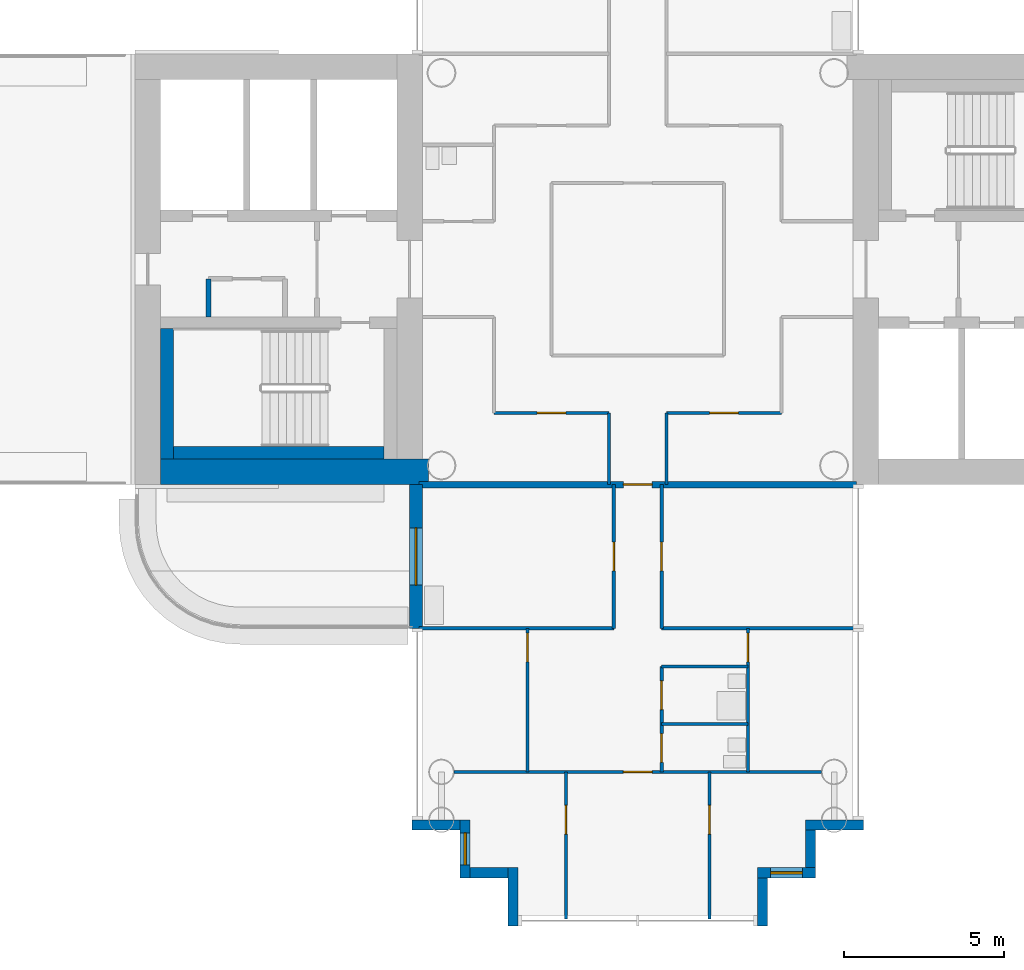
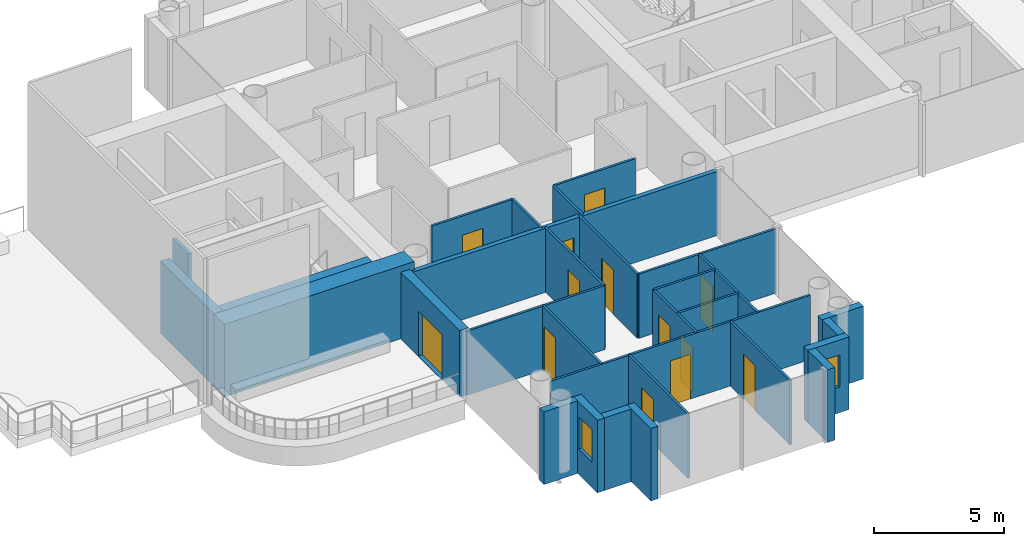
# One storey, part 7 of 19: 30 walls, 13 doors, 2 windows, 15 openings.
"""IFC4 building model written with IfcOpenShell, lengths in metres."""

from ifc_helpers import new_model, si_unit, direction, frame, frame_2d, origin, place, context, subcontext, project, spatial, rectangle, extrude, material, layer, layer_set, type_object, element, fill, save


model = new_model("IFC4")

# Units and contexts
model_context = context("Model", 3, precision=1e-05, world=origin(), true_north=direction((0.0, 1.0)))
body_context = subcontext(model_context, "Body", "Model", "MODEL_VIEW")
ifc_project = project(units=[si_unit("LENGTHUNIT", "METRE"), si_unit("AREAUNIT", "SQUARE_METRE"), si_unit("VOLUMEUNIT", "CUBIC_METRE"), si_unit("PLANEANGLEUNIT", "RADIAN"), si_unit("MASSUNIT", "GRAM", prefix="KILO")], contexts=[model_context])

# Site, building, storey
site_placement = place(None, origin())
site = spatial("IfcSite", under=ifc_project, at=site_placement, CompositionType="ELEMENT")
building_placement = place(site_placement, origin())
building = spatial("IfcBuilding", under=site, at=building_placement, Name="Ipe Terrace Towers", CompositionType="ELEMENT")
storey_placement = place(building_placement, frame((0.0, 0.0, 133.699951171875)))
storey = spatial("IfcBuildingStorey", under=building, at=storey_placement, Name="L36", CompositionType="ELEMENT", Elevation=133.699951171875)

# Wall, opening, door
ifc_material_1 = material(Name="Concrete C40/50 with buff precast cladding", Category="concrete")
ifc_layer_1 = layer(ifc_material_1, 0.39990234375)
ifc_layer_set_1 = layer_set([ifc_layer_1], Name="BALCONY BAY WALL 400")
wall_type_1 = type_object("IfcWallType", Name="BALCONY BAY WALL 400", PredefinedType="STANDARD", material=ifc_layer_set_1)
wall_1_placement = place(storey_placement, frame((-42.949951171875, -6.75, -0.02001953125), z_axis=(0.0, 0.0, 1.0), x_axis=(0.0, -1.0, 0.0)))
wall_1 = element("IfcWall", 1, at=wall_1_placement, inside=storey, type_object=wall_type_1, Name="T1-W-L36-02a wall", PredefinedType="STANDARD", context=body_context, shape_type="SweptSolid", body=[
    extrude(rectangle(XDim=4.5, YDim=0.39990234375, at=frame_2d((2.25, 0.0))), origin(), (0.0, 0.0, 1.0), 3.1201171875),
])
opening_1_placement = place(wall_1_placement, frame((1.35009765625, 0.0, 0.02001953125)))
opening_1 = element("IfcOpeningElement", 2, at=opening_1_placement, cuts=wall_1, Name="Opening T1-D-L36-02", PredefinedType="OPENING", context=body_context, shape_type="SweptSolid", body=[
    extrude(rectangle(XDim=1.800048828125, YDim=2.10009765625, at=frame_2d((0.89990234375, 1.050048828125))), frame((0.0, 0.2099609375, 0.0), z_axis=(0.0, -1.0, 0.0), x_axis=(1.0, 0.0, 0.0)), (0.0, 0.0, 1.0), 0.419921875),
])
ifc_material_2 = material(Name="Aluminium alloy 6063-T6 framed glazed door", Category="aluminium")
door_type_1 = type_object("IfcDoorType", Name="BALCONY DOOR 1800 x 2100 LEFT", OperationType="SINGLE_SWING_LEFT", PredefinedType="DOOR", material=ifc_material_2)
door_1_placement = place(opening_1_placement, origin())
door_1 = element("IfcDoor", 3, at=door_1_placement, inside=storey, type_object=door_type_1, Name="DB1 door", OperationType="SINGLE_SWING_LEFT", OverallHeight=2.10009765625, OverallWidth=1.800048828125, PredefinedType="DOOR", context=body_context, shape_type="SweptSolid", body=[
    extrude(rectangle(XDim=1.800048828125, YDim=2.10009765625, at=frame_2d((0.89990234375, 1.050048828125))), frame((0.0, 0.02490234375, 0.0), z_axis=(0.0, -1.0, 0.0), x_axis=(1.0, 0.0, 0.0)), (0.0, 0.0, 1.0), 0.050048828125),
])
fill(opening_1, door_1)

# Wall
ifc_material_3 = material(Name="Concrete C40/50 with buff precast cladding", Category="concrete")
ifc_layer_2 = layer(ifc_material_3, 0.320068359375)
ifc_layer_set_2 = layer_set([ifc_layer_2], Name="BUFF CLADDING WALL 320")
wall_type_2 = type_object("IfcWallType", Name="BUFF CLADDING WALL 320", PredefinedType="STANDARD", material=ifc_layer_set_2)
wall_2_placement = place(storey_placement, frame((-43.070068359375, -17.409912109375, -0.300048828125), z_axis=(0.0, 0.0, 1.0), x_axis=(1.0, 0.0, 0.0)))
element("IfcWall", 4, at=wall_2_placement, inside=storey, type_object=wall_type_2, Name="T1-W-L36-04a wall", PredefinedType="STANDARD", context=body_context, shape_type="SweptSolid", body=[
    extrude(rectangle(XDim=1.5, YDim=0.320068359375, at=frame_2d((0.75, 0.0))), origin(), (0.0, 0.0, 1.0), 3.400146484375),
])

# Wall, opening, window
wall_3_placement = place(storey_placement, frame((-41.409912109375, -17.25, -0.300048828125), z_axis=(0.0, 0.0, 1.0), x_axis=(0.0, -1.0, 0.0)))
wall_3 = element("IfcWall", 5, at=wall_3_placement, inside=storey, type_object=wall_type_2, Name="T1-W-L36-05a wall", PredefinedType="STANDARD", context=body_context, shape_type="SweptSolid", body=[
    extrude(rectangle(XDim=1.820068359375, YDim=0.320068359375, at=frame_2d((0.91015625, 0.0))), origin(), (0.0, 0.0, 1.0), 3.400146484375),
])
opening_2_placement = place(wall_3_placement, frame((0.409912109375, 0.0, 1.199951171875)))
opening_2 = element("IfcOpeningElement", 6, at=opening_2_placement, cuts=wall_3, Name="Opening T1-W-05-L36-02", PredefinedType="OPENING", context=body_context, shape_type="SweptSolid", body=[
    extrude(rectangle(XDim=1.0, YDim=1.5, at=frame_2d((0.5, 0.75))), frame((0.0, 0.169921875, 0.0), z_axis=(0.0, -1.0, 0.0), x_axis=(1.0, 0.0, 0.0)), (0.0, 0.0, 1.0), 0.340087890625),
])
ifc_material_4 = material(Name="Glass, clear laminated", Category="glass")
window_type = type_object("IfcWindowType", Name="DWELLING WINDOW 1000 x 1500", PartitioningType="SINGLE_PANEL", PredefinedType="WINDOW", material=ifc_material_4)
window_1_placement = place(opening_2_placement, origin())
window_1 = element("IfcWindow", 7, at=window_1_placement, inside=storey, type_object=window_type, Name="W-05 window", OverallHeight=1.5, OverallWidth=1.0, PartitioningType="SINGLE_PANEL", PredefinedType="WINDOW", context=body_context, shape_type="SweptSolid", body=[
    extrude(rectangle(XDim=1.0, YDim=1.5, at=frame_2d((0.5, 0.75))), frame((0.0, 0.030029296875, 0.0), z_axis=(0.0, -1.0, 0.0), x_axis=(1.0, 0.0, 0.0)), (0.0, 0.0, 1.0), 0.06005859375),
])
fill(opening_2, window_1)

# Walls
wall_4_placement = place(storey_placement, frame((-41.25, -18.909912109375, -0.300048828125), z_axis=(0.0, 0.0, 1.0), x_axis=(1.0, 0.0, 0.0)))
element("IfcWall", 8, at=wall_4_placement, inside=storey, type_object=wall_type_2, Name="T1-W-L36-06a wall", PredefinedType="STANDARD", context=body_context, shape_type="SweptSolid", body=[
    extrude(rectangle(XDim=1.179931640625, YDim=0.320068359375, at=frame_2d((0.58984375, 0.0))), origin(), (0.0, 0.0, 1.0), 3.400146484375),
])
wall_5_placement = place(storey_placement, frame((-39.909912109375, -18.75, -0.300048828125), z_axis=(0.0, 0.0, 1.0), x_axis=(0.0, -1.0, 0.0)))
element("IfcWall", 9, at=wall_5_placement, inside=storey, type_object=wall_type_2, Name="T1-W-L36-07a wall", PredefinedType="STANDARD", context=body_context, shape_type="SweptSolid", body=[
    extrude(rectangle(XDim=1.820068359375, YDim=0.320068359375, at=frame_2d((0.91015625, 0.0))), origin(), (0.0, 0.0, 1.0), 3.400146484375),
])
wall_6_placement = place(storey_placement, frame((-32.090087890625, -20.570068359375, -0.300048828125), z_axis=(0.0, 0.0, 1.0), x_axis=(0.0, 1.0, 0.0)))
element("IfcWall", 10, at=wall_6_placement, inside=storey, type_object=wall_type_2, Name="T1-W-L36-09a wall", PredefinedType="STANDARD", context=body_context, shape_type="SweptSolid", body=[
    extrude(rectangle(XDim=1.5, YDim=0.320068359375, at=frame_2d((0.75, 0.0))), origin(), (0.0, 0.0, 1.0), 3.400146484375),
])

# Wall, opening, window
wall_7_placement = place(storey_placement, frame((-32.25, -18.909912109375, -0.300048828125), z_axis=(0.0, 0.0, 1.0), x_axis=(1.0, 0.0, 0.0)))
wall_7 = element("IfcWall", 11, at=wall_7_placement, inside=storey, type_object=wall_type_2, Name="T1-W-L36-10a wall", PredefinedType="STANDARD", context=body_context, shape_type="SweptSolid", body=[
    extrude(rectangle(XDim=1.820068359375, YDim=0.320068359375, at=frame_2d((0.91015625, 0.0))), origin(), (0.0, 0.0, 1.0), 3.400146484375),
])
opening_3_placement = place(wall_7_placement, frame((0.409912109375, 0.0, 1.199951171875)))
opening_3 = element("IfcOpeningElement", 12, at=opening_3_placement, cuts=wall_7, Name="Opening T1-W-05-L36-01", PredefinedType="OPENING", context=body_context, shape_type="SweptSolid", body=[
    extrude(rectangle(XDim=1.0, YDim=1.5, at=frame_2d((0.5, 0.75))), frame((0.0, 0.169921875, 0.0), z_axis=(0.0, -1.0, 0.0), x_axis=(1.0, 0.0, 0.0)), (0.0, 0.0, 1.0), 0.340087890625),
])
window_2_placement = place(opening_3_placement, origin())
window_2 = element("IfcWindow", 13, at=window_2_placement, inside=storey, type_object=window_type, Name="W-05 window", OverallHeight=1.5, OverallWidth=1.0, PartitioningType="SINGLE_PANEL", PredefinedType="WINDOW", context=body_context, shape_type="SweptSolid", body=[
    extrude(rectangle(XDim=1.0, YDim=1.5, at=frame_2d((0.5, 0.75))), frame((0.0, 0.030029296875, 0.0), z_axis=(0.0, -1.0, 0.0), x_axis=(1.0, 0.0, 0.0)), (0.0, 0.0, 1.0), 0.06005859375),
])
fill(opening_3, window_2)

# Walls
wall_8_placement = place(storey_placement, frame((-30.590087890625, -18.75, -0.300048828125), z_axis=(0.0, 0.0, 1.0), x_axis=(0.0, 1.0, 0.0)))
element("IfcWall", 14, at=wall_8_placement, inside=storey, type_object=wall_type_2, Name="T1-W-L36-11a wall", PredefinedType="STANDARD", context=body_context, shape_type="SweptSolid", body=[
    extrude(rectangle(XDim=1.179931640625, YDim=0.320068359375, at=frame_2d((0.58984375, 0.0))), origin(), (0.0, 0.0, 1.0), 3.400146484375),
])
wall_9_placement = place(storey_placement, frame((-30.75, -17.409912109375, -0.300048828125), z_axis=(0.0, 0.0, 1.0), x_axis=(1.0, 0.0, 0.0)))
element("IfcWall", 15, at=wall_9_placement, inside=storey, type_object=wall_type_2, Name="T1-W-L36-12a wall", PredefinedType="STANDARD", context=body_context, shape_type="SweptSolid", body=[
    extrude(rectangle(XDim=1.820068359375, YDim=0.320068359375, at=frame_2d((0.91015625, 0.0))), origin(), (0.0, 0.0, 1.0), 3.400146484375),
])

# Wall, opening, door
ifc_material_5 = material(Name="Gypsum board partition", Category="plasterboard")
ifc_layer_3 = layer(ifc_material_5, 0.10009765625)
ifc_layer_set_3 = layer_set([ifc_layer_3], Name="Gypsum board partition 100 mm")
wall_type_3 = type_object("IfcWallType", Name="Gypsum board partition 100 mm", PredefinedType="PARTITIONING", material=ifc_layer_set_3)
wall_10_placement = place(storey_placement, frame((-39.449951171875, -15.75, 0.0), z_axis=(0.0, 0.0, 1.0), x_axis=(0.0, 1.0, 0.0)))
wall_10 = element("IfcWall", 16, at=wall_10_placement, inside=storey, type_object=wall_type_3, Name="Gypsum board partition T1 L36 W03", PredefinedType="PARTITIONING", context=body_context, shape_type="SweptSolid", body=[
    extrude(rectangle(XDim=4.5, YDim=0.10009765625, at=frame_2d((2.25, 0.0))), origin(), (0.0, 0.0, 1.0), 3.0),
])
opening_4_placement = place(wall_10_placement, frame((3.449951171875, 0.0, 0.0)))
opening_4 = element("IfcOpeningElement", 17, at=opening_4_placement, cuts=wall_10, Name="Opening T1-Z3A-16", PredefinedType="OPENING", context=body_context, shape_type="SweptSolid", body=[
    extrude(rectangle(XDim=0.89990234375, YDim=2.10009765625, at=frame_2d((0.449951171875, 1.050048828125))), frame((0.0, 0.06005859375, 0.0), z_axis=(0.0, -1.0, 0.0), x_axis=(1.0, 0.0, 0.0)), (0.0, 0.0, 1.0), 0.1201171875),
])
ifc_material_6 = material(Name="Timber door leaf", Category="wood")
door_type_2 = type_object("IfcDoorType", Name="Bedroom door 900 x 2100", OperationType="NOTDEFINED", PredefinedType="DOOR", material=ifc_material_6)
door_2_placement = place(opening_4_placement, origin())
door_2 = element("IfcDoor", 18, at=door_2_placement, inside=storey, type_object=door_type_2, Name="Bedroom door T1-Z3A-16", OperationType="SINGLE_SWING_LEFT", OverallHeight=2.10009765625, OverallWidth=0.89990234375, PredefinedType="DOOR", context=body_context, shape_type="SweptSolid", body=[
    extrude(rectangle(XDim=0.89990234375, YDim=2.10009765625, at=frame_2d((0.449951171875, 1.050048828125))), frame((0.0, 0.02490234375, 0.0), z_axis=(0.0, -1.0, 0.0), x_axis=(1.0, 0.0, 0.0)), (0.0, 0.0, 1.0), 0.050048828125),
])
fill(opening_4, door_2)

wall_11_placement = place(storey_placement, frame((-38.25, -20.35009765625, 0.0), z_axis=(0.0, 0.0, 1.0), x_axis=(0.0, 1.0, 0.0)))
wall_11 = element("IfcWall", 19, at=wall_11_placement, inside=storey, type_object=wall_type_3, Name="Gypsum board partition T1 L36 W05", PredefinedType="PARTITIONING", context=body_context, shape_type="SweptSolid", body=[
    extrude(rectangle(XDim=4.60009765625, YDim=0.10009765625, at=frame_2d((2.300048828125, 0.0))), origin(), (0.0, 0.0, 1.0), 3.0),
])
opening_5_placement = place(wall_11_placement, frame((2.64990234375, 0.0, 0.0)))
opening_5 = element("IfcOpeningElement", 20, at=opening_5_placement, cuts=wall_11, Name="Opening T1-Z3A-19", PredefinedType="OPENING", context=body_context, shape_type="SweptSolid", body=[
    extrude(rectangle(XDim=0.89990234375, YDim=2.10009765625, at=frame_2d((0.449951171875, 1.050048828125))), frame((0.0, 0.06005859375, 0.0), z_axis=(0.0, -1.0, 0.0), x_axis=(1.0, 0.0, 0.0)), (0.0, 0.0, 1.0), 0.1201171875),
])
door_3_placement = place(opening_5_placement, origin())
door_3 = element("IfcDoor", 21, at=door_3_placement, inside=storey, type_object=door_type_2, Name="Bedroom door T1-Z3A-19", OperationType="SINGLE_SWING_LEFT", OverallHeight=2.10009765625, OverallWidth=0.89990234375, PredefinedType="DOOR", context=body_context, shape_type="SweptSolid", body=[
    extrude(rectangle(XDim=0.89990234375, YDim=2.10009765625, at=frame_2d((0.449951171875, 1.050048828125))), frame((0.0, 0.02490234375, 0.0), z_axis=(0.0, -1.0, 0.0), x_axis=(1.0, 0.0, 0.0)), (0.0, 0.0, 1.0), 0.050048828125),
])
fill(opening_5, door_3)

# Wall
wall_12_placement = place(storey_placement, frame((-36.89990234375, -6.75, 0.0), z_axis=(0.0, 0.0, 1.0), x_axis=(0.0, 1.0, 0.0)))
element("IfcWall", 22, at=wall_12_placement, inside=storey, type_object=wall_type_3, Name="Gypsum board partition T1 L36 W06", PredefinedType="PARTITIONING", context=body_context, shape_type="SweptSolid", body=[
    extrude(rectangle(XDim=2.25, YDim=0.10009765625, at=frame_2d((1.125, 0.0))), origin(), (0.0, 0.0, 1.0), 3.0),
])

# Wall, opening, door
wall_13_placement = place(storey_placement, frame((-36.75, -11.25, 0.0), z_axis=(0.0, 0.0, 1.0), x_axis=(0.0, 1.0, 0.0)))
wall_13 = element("IfcWall", 23, at=wall_13_placement, inside=storey, type_object=wall_type_3, Name="Gypsum board partition T1 L36 W08", PredefinedType="PARTITIONING", context=body_context, shape_type="SweptSolid", body=[
    extrude(rectangle(XDim=4.5, YDim=0.10009765625, at=frame_2d((2.25, 0.0))), origin(), (0.0, 0.0, 1.0), 3.0),
])
opening_6_placement = place(wall_13_placement, frame((1.800048828125, 0.0, 0.0)))
opening_6 = element("IfcOpeningElement", 24, at=opening_6_placement, cuts=wall_13, Name="Opening T1-Z3A-11", PredefinedType="OPENING", context=body_context, shape_type="SweptSolid", body=[
    extrude(rectangle(XDim=0.89990234375, YDim=2.10009765625, at=frame_2d((0.449951171875, 1.050048828125))), frame((0.0, 0.06005859375, 0.0), z_axis=(0.0, -1.0, 0.0), x_axis=(1.0, 0.0, 0.0)), (0.0, 0.0, 1.0), 0.1201171875),
])
ifc_material_7 = material(Name="Timber door leaf", Category="wood")
door_type_3 = type_object("IfcDoorType", Name="Lounge door 900 x 2100", OperationType="NOTDEFINED", PredefinedType="DOOR", material=ifc_material_7)
door_4_placement = place(opening_6_placement, origin())
door_4 = element("IfcDoor", 25, at=door_4_placement, inside=storey, type_object=door_type_3, Name="Lounge door T1-Z3A-11", OperationType="SINGLE_SWING_LEFT", OverallHeight=2.10009765625, OverallWidth=0.89990234375, PredefinedType="DOOR", context=body_context, shape_type="SweptSolid", body=[
    extrude(rectangle(XDim=0.89990234375, YDim=2.10009765625, at=frame_2d((0.449951171875, 1.050048828125))), frame((0.0, 0.02490234375, 0.0), z_axis=(0.0, -1.0, 0.0), x_axis=(1.0, 0.0, 0.0)), (0.0, 0.0, 1.0), 0.050048828125),
])
fill(opening_6, door_4)

# Wall, openings, doors
wall_14_placement = place(storey_placement, frame((-35.25, -15.75, 0.0), z_axis=(0.0, 0.0, 1.0), x_axis=(0.0, 1.0, 0.0)))
wall_14 = element("IfcWall", 26, at=wall_14_placement, inside=storey, type_object=wall_type_3, Name="Gypsum board partition T1 L36 W09", PredefinedType="PARTITIONING", context=body_context, shape_type="SweptSolid", body=[
    extrude(rectangle(XDim=3.300048828125, YDim=0.10009765625, at=frame_2d((1.64990234375, 0.0))), origin(), (0.0, 0.0, 1.0), 3.0),
])
opening_7_placement = place(wall_14_placement, frame((1.949951171875, 0.0, 0.0)))
opening_7 = element("IfcOpeningElement", 27, at=opening_7_placement, cuts=wall_14, Name="Opening T1-Z3A-13", PredefinedType="OPENING", context=body_context, shape_type="SweptSolid", body=[
    extrude(rectangle(XDim=0.89990234375, YDim=2.10009765625, at=frame_2d((0.449951171875, 1.050048828125))), frame((0.0, 0.06005859375, 0.0), z_axis=(0.0, -1.0, 0.0), x_axis=(1.0, 0.0, 0.0)), (0.0, 0.0, 1.0), 0.1201171875),
])
opening_8_placement = place(wall_14_placement, frame((0.300048828125, 0.0, 0.0)))
opening_8 = element("IfcOpeningElement", 28, at=opening_8_placement, cuts=wall_14, Name="Opening T1-Z3A-14", PredefinedType="OPENING", context=body_context, shape_type="SweptSolid", body=[
    extrude(rectangle(XDim=0.89990234375, YDim=2.10009765625, at=frame_2d((0.449951171875, 1.050048828125))), frame((0.0, 0.06005859375, 0.0), z_axis=(0.0, -1.0, 0.0), x_axis=(1.0, 0.0, 0.0)), (0.0, 0.0, 1.0), 0.1201171875),
])
ifc_material_8 = material(Name="Timber door leaf", Category="wood")
door_type_4 = type_object("IfcDoorType", Name="Bathroom door 900 x 2100", OperationType="NOTDEFINED", PredefinedType="DOOR", material=ifc_material_8)
door_5_placement = place(opening_7_placement, origin())
door_5 = element("IfcDoor", 29, at=door_5_placement, inside=storey, type_object=door_type_4, Name="Bathroom door T1-Z3A-13", OperationType="SINGLE_SWING_RIGHT", OverallHeight=2.10009765625, OverallWidth=0.89990234375, PredefinedType="DOOR", context=body_context, shape_type="SweptSolid", body=[
    extrude(rectangle(XDim=0.89990234375, YDim=2.10009765625, at=frame_2d((0.449951171875, 1.050048828125))), frame((0.0, 0.02490234375, 0.0), z_axis=(0.0, -1.0, 0.0), x_axis=(1.0, 0.0, 0.0)), (0.0, 0.0, 1.0), 0.050048828125),
])
fill(opening_7, door_5)
door_6_placement = place(opening_8_placement, origin())
door_6 = element("IfcDoor", 30, at=door_6_placement, inside=storey, type_object=door_type_4, Name="Bathroom door T1-Z3A-14", OperationType="SINGLE_SWING_LEFT", OverallHeight=2.10009765625, OverallWidth=0.89990234375, PredefinedType="DOOR", context=body_context, shape_type="SweptSolid", body=[
    extrude(rectangle(XDim=0.89990234375, YDim=2.10009765625, at=frame_2d((0.449951171875, 1.050048828125))), frame((0.0, 0.02490234375, 0.0), z_axis=(0.0, -1.0, 0.0), x_axis=(1.0, 0.0, 0.0)), (0.0, 0.0, 1.0), 0.050048828125),
])
fill(opening_8, door_6)

# Wall, opening, door
wall_15_placement = place(storey_placement, frame((-35.25, -11.25, 0.0), z_axis=(0.0, 0.0, 1.0), x_axis=(0.0, 1.0, 0.0)))
wall_15 = element("IfcWall", 31, at=wall_15_placement, inside=storey, type_object=wall_type_3, Name="Gypsum board partition T1 L36 W10", PredefinedType="PARTITIONING", context=body_context, shape_type="SweptSolid", body=[
    extrude(rectangle(XDim=4.5, YDim=0.10009765625, at=frame_2d((2.25, 0.0))), origin(), (0.0, 0.0, 1.0), 3.0),
])
opening_9_placement = place(wall_15_placement, frame((1.800048828125, 0.0, 0.0)))
opening_9 = element("IfcOpeningElement", 32, at=opening_9_placement, cuts=wall_15, Name="Opening T1-Z3A-10", PredefinedType="OPENING", context=body_context, shape_type="SweptSolid", body=[
    extrude(rectangle(XDim=0.89990234375, YDim=2.10009765625, at=frame_2d((0.449951171875, 1.050048828125))), frame((0.0, 0.06005859375, 0.0), z_axis=(0.0, -1.0, 0.0), x_axis=(1.0, 0.0, 0.0)), (0.0, 0.0, 1.0), 0.1201171875),
])
door_7_placement = place(opening_9_placement, origin())
door_7 = element("IfcDoor", 33, at=door_7_placement, inside=storey, type_object=door_type_3, Name="Lounge door T1-Z3A-10", OperationType="SINGLE_SWING_RIGHT", OverallHeight=2.10009765625, OverallWidth=0.89990234375, PredefinedType="DOOR", context=body_context, shape_type="SweptSolid", body=[
    extrude(rectangle(XDim=0.89990234375, YDim=2.10009765625, at=frame_2d((0.449951171875, 1.050048828125))), frame((0.0, 0.02490234375, 0.0), z_axis=(0.0, -1.0, 0.0), x_axis=(1.0, 0.0, 0.0)), (0.0, 0.0, 1.0), 0.050048828125),
])
fill(opening_9, door_7)

# Wall
wall_16_placement = place(storey_placement, frame((-35.10009765625, -6.75, 0.0), z_axis=(0.0, 0.0, 1.0), x_axis=(0.0, 1.0, 0.0)))
element("IfcWall", 34, at=wall_16_placement, inside=storey, type_object=wall_type_3, Name="Gypsum board partition T1 L36 W11", PredefinedType="PARTITIONING", context=body_context, shape_type="SweptSolid", body=[
    extrude(rectangle(XDim=2.25, YDim=0.10009765625, at=frame_2d((1.125, 0.0))), origin(), (0.0, 0.0, 1.0), 3.0),
])

# Wall, opening, door
wall_17_placement = place(storey_placement, frame((-33.75, -20.35009765625, 0.0), z_axis=(0.0, 0.0, 1.0), x_axis=(0.0, 1.0, 0.0)))
wall_17 = element("IfcWall", 35, at=wall_17_placement, inside=storey, type_object=wall_type_3, Name="Gypsum board partition T1 L36 W13", PredefinedType="PARTITIONING", context=body_context, shape_type="SweptSolid", body=[
    extrude(rectangle(XDim=4.60009765625, YDim=0.10009765625, at=frame_2d((2.300048828125, 0.0))), origin(), (0.0, 0.0, 1.0), 3.0),
])
opening_10_placement = place(wall_17_placement, frame((2.64990234375, 0.0, 0.0)))
opening_10 = element("IfcOpeningElement", 36, at=opening_10_placement, cuts=wall_17, Name="Opening T1-Z3A-18", PredefinedType="OPENING", context=body_context, shape_type="SweptSolid", body=[
    extrude(rectangle(XDim=0.89990234375, YDim=2.10009765625, at=frame_2d((0.449951171875, 1.050048828125))), frame((0.0, 0.06005859375, 0.0), z_axis=(0.0, -1.0, 0.0), x_axis=(1.0, 0.0, 0.0)), (0.0, 0.0, 1.0), 0.1201171875),
])
door_8_placement = place(opening_10_placement, origin())
door_8 = element("IfcDoor", 37, at=door_8_placement, inside=storey, type_object=door_type_2, Name="Bedroom door T1-Z3A-18", OperationType="SINGLE_SWING_RIGHT", OverallHeight=2.10009765625, OverallWidth=0.89990234375, PredefinedType="DOOR", context=body_context, shape_type="SweptSolid", body=[
    extrude(rectangle(XDim=0.89990234375, YDim=2.10009765625, at=frame_2d((0.449951171875, 1.050048828125))), frame((0.0, 0.02490234375, 0.0), z_axis=(0.0, -1.0, 0.0), x_axis=(1.0, 0.0, 0.0)), (0.0, 0.0, 1.0), 0.050048828125),
])
fill(opening_10, door_8)

wall_18_placement = place(storey_placement, frame((-32.550048828125, -15.75, 0.0), z_axis=(0.0, 0.0, 1.0), x_axis=(0.0, 1.0, 0.0)))
wall_18 = element("IfcWall", 38, at=wall_18_placement, inside=storey, type_object=wall_type_3, Name="Gypsum board partition T1 L36 W15", PredefinedType="PARTITIONING", context=body_context, shape_type="SweptSolid", body=[
    extrude(rectangle(XDim=4.5, YDim=0.10009765625, at=frame_2d((2.25, 0.0))), origin(), (0.0, 0.0, 1.0), 3.0),
])
opening_11_placement = place(wall_18_placement, frame((3.449951171875, 0.0, 0.0)))
opening_11 = element("IfcOpeningElement", 39, at=opening_11_placement, cuts=wall_18, Name="Opening T1-Z3A-15", PredefinedType="OPENING", context=body_context, shape_type="SweptSolid", body=[
    extrude(rectangle(XDim=0.89990234375, YDim=2.10009765625, at=frame_2d((0.449951171875, 1.050048828125))), frame((0.0, 0.06005859375, 0.0), z_axis=(0.0, -1.0, 0.0), x_axis=(1.0, 0.0, 0.0)), (0.0, 0.0, 1.0), 0.1201171875),
])
door_9_placement = place(opening_11_placement, origin())
door_9 = element("IfcDoor", 40, at=door_9_placement, inside=storey, type_object=door_type_2, Name="Bedroom door T1-Z3A-15", OperationType="SINGLE_SWING_RIGHT", OverallHeight=2.10009765625, OverallWidth=0.89990234375, PredefinedType="DOOR", context=body_context, shape_type="SweptSolid", body=[
    extrude(rectangle(XDim=0.89990234375, YDim=2.10009765625, at=frame_2d((0.449951171875, 1.050048828125))), frame((0.0, 0.02490234375, 0.0), z_axis=(0.0, -1.0, 0.0), x_axis=(1.0, 0.0, 0.0)), (0.0, 0.0, 1.0), 0.050048828125),
])
fill(opening_11, door_9)

wall_19_placement = place(storey_placement, frame((-41.75, -15.75, 0.0), z_axis=(0.0, 0.0, 1.0), x_axis=(1.0, 0.0, 0.0)))
wall_19 = element("IfcWall", 41, at=wall_19_placement, inside=storey, type_object=wall_type_3, Name="Gypsum board partition T1 L36 W21", PredefinedType="PARTITIONING", context=body_context, shape_type="SweptSolid", body=[
    extrude(rectangle(XDim=11.5, YDim=0.10009765625, at=frame_2d((5.75, 0.0))), origin(), (0.0, 0.0, 1.0), 3.0),
])
opening_12_placement = place(wall_19_placement, frame((5.300048828125, 0.0, 0.0)))
opening_12 = element("IfcOpeningElement", 42, at=opening_12_placement, cuts=wall_19, Name="Opening T1-Z3A-17", PredefinedType="OPENING", context=body_context, shape_type="SweptSolid", body=[
    extrude(rectangle(XDim=0.89990234375, YDim=2.10009765625, at=frame_2d((0.449951171875, 1.050048828125))), frame((0.0, 0.06005859375, 0.0), z_axis=(0.0, -1.0, 0.0), x_axis=(1.0, 0.0, 0.0)), (0.0, 0.0, 1.0), 0.1201171875),
])
door_10_placement = place(opening_12_placement, origin())
door_10 = element("IfcDoor", 43, at=door_10_placement, inside=storey, type_object=door_type_3, Name="Lounge door T1-Z3A-17", OperationType="SINGLE_SWING_RIGHT", OverallHeight=2.10009765625, OverallWidth=0.89990234375, PredefinedType="DOOR", context=body_context, shape_type="SweptSolid", body=[
    extrude(rectangle(XDim=0.89990234375, YDim=2.10009765625, at=frame_2d((0.449951171875, 1.050048828125))), frame((0.0, 0.02490234375, 0.0), z_axis=(0.0, -1.0, 0.0), x_axis=(1.0, 0.0, 0.0)), (0.0, 0.0, 1.0), 0.050048828125),
])
fill(opening_12, door_10)

# Walls
for number, where, z_axis, x_axis, name in (
    (44, (-35.25, -14.25, 0.0), (0.0, 0.0, 1.0), (1.0, 0.0, 0.0), "Gypsum board partition T1 L36 W22"),
    (45, (-35.25, -12.449951171875, 0.0), (0.0, 0.0, 1.0), (1.0, 0.0, 0.0), "Gypsum board partition T1 L36 W23"),
):
    element("IfcWall", number, at=place(storey_placement, frame(where, z_axis=z_axis, x_axis=x_axis)), inside=storey, type_object=wall_type_3, Name=name, PredefinedType="PARTITIONING", context=body_context, shape_type="SweptSolid", body=[
        extrude(rectangle(XDim=2.699951171875, YDim=0.10009765625, at=frame_2d((1.35009765625, 0.0))), origin(), (0.0, 0.0, 1.0), 3.0),
    ])
for number, where, z_axis, x_axis, name in (
    (46, (-42.85009765625, -11.25, 0.0), (0.0, 0.0, 1.0), (1.0, 0.0, 0.0), "Gypsum board partition T1 L36 W24"),
    (47, (-35.25, -11.25, 0.0), (0.0, 0.0, 1.0), (1.0, 0.0, 0.0), "Gypsum board partition T1 L36 W25"),
):
    element("IfcWall", number, at=place(storey_placement, frame(where, z_axis=z_axis, x_axis=x_axis)), inside=storey, type_object=wall_type_3, Name=name, PredefinedType="PARTITIONING", context=body_context, shape_type="SweptSolid", body=[
        extrude(rectangle(XDim=6.10009765625, YDim=0.10009765625, at=frame_2d((3.050048828125, 0.0))), origin(), (0.0, 0.0, 1.0), 3.0),
    ])

# Wall, opening, door
wall_20_placement = place(storey_placement, frame((-40.5, -4.5, 0.0), z_axis=(0.0, 0.0, 1.0), x_axis=(1.0, 0.0, 0.0)))
wall_20 = element("IfcWall", 48, at=wall_20_placement, inside=storey, type_object=wall_type_3, Name="Gypsum board partition T1 L36 W27", PredefinedType="PARTITIONING", context=body_context, shape_type="SweptSolid", body=[
    extrude(rectangle(XDim=3.60009765625, YDim=0.10009765625, at=frame_2d((1.800048828125, 0.0))), origin(), (0.0, 0.0, 1.0), 3.0),
])
opening_13_placement = place(wall_20_placement, frame((1.35009765625, 0.0, 0.0)))
opening_13 = element("IfcOpeningElement", 49, at=opening_13_placement, cuts=wall_20, Name="Opening T1-Z3A-05", PredefinedType="OPENING", context=body_context, shape_type="SweptSolid", body=[
    extrude(rectangle(XDim=0.89990234375, YDim=2.10009765625, at=frame_2d((0.449951171875, 1.050048828125))), frame((0.0, 0.06005859375, 0.0), z_axis=(0.0, -1.0, 0.0), x_axis=(1.0, 0.0, 0.0)), (0.0, 0.0, 1.0), 0.1201171875),
])
door_11_placement = place(opening_13_placement, origin())
door_11 = element("IfcDoor", 50, at=door_11_placement, inside=storey, type_object=door_type_3, Name="Lounge door T1-Z3A-05", OperationType="SINGLE_SWING_RIGHT", OverallHeight=2.10009765625, OverallWidth=0.89990234375, PredefinedType="DOOR", context=body_context, shape_type="SweptSolid", body=[
    extrude(rectangle(XDim=0.89990234375, YDim=2.10009765625, at=frame_2d((0.449951171875, 1.050048828125))), frame((0.0, 0.02490234375, 0.0), z_axis=(0.0, -1.0, 0.0), x_axis=(1.0, 0.0, 0.0)), (0.0, 0.0, 1.0), 0.050048828125),
])
fill(opening_13, door_11)

wall_21_placement = place(storey_placement, frame((-35.10009765625, -4.5, 0.0), z_axis=(0.0, 0.0, 1.0), x_axis=(1.0, 0.0, 0.0)))
wall_21 = element("IfcWall", 51, at=wall_21_placement, inside=storey, type_object=wall_type_3, Name="Gypsum board partition T1 L36 W28", PredefinedType="PARTITIONING", context=body_context, shape_type="SweptSolid", body=[
    extrude(rectangle(XDim=3.60009765625, YDim=0.10009765625, at=frame_2d((1.800048828125, 0.0))), origin(), (0.0, 0.0, 1.0), 3.0),
])
opening_14_placement = place(wall_21_placement, frame((1.35009765625, 0.0, 0.0)))
opening_14 = element("IfcOpeningElement", 52, at=opening_14_placement, cuts=wall_21, Name="Opening T1-Z3A-06", PredefinedType="OPENING", context=body_context, shape_type="SweptSolid", body=[
    extrude(rectangle(XDim=0.89990234375, YDim=2.10009765625, at=frame_2d((0.449951171875, 1.050048828125))), frame((0.0, 0.06005859375, 0.0), z_axis=(0.0, -1.0, 0.0), x_axis=(1.0, 0.0, 0.0)), (0.0, 0.0, 1.0), 0.1201171875),
])
door_12_placement = place(opening_14_placement, origin())
door_12 = element("IfcDoor", 53, at=door_12_placement, inside=storey, type_object=door_type_3, Name="Lounge door T1-Z3A-06", OperationType="SINGLE_SWING_LEFT", OverallHeight=2.10009765625, OverallWidth=0.89990234375, PredefinedType="DOOR", context=body_context, shape_type="SweptSolid", body=[
    extrude(rectangle(XDim=0.89990234375, YDim=2.10009765625, at=frame_2d((0.449951171875, 1.050048828125))), frame((0.0, 0.02490234375, 0.0), z_axis=(0.0, -1.0, 0.0), x_axis=(1.0, 0.0, 0.0)), (0.0, 0.0, 1.0), 0.050048828125),
])
fill(opening_14, door_12)

# Wall
ifc_material_9 = material(Name="Gypsum board partition", Category="plasterboard")
ifc_layer_4 = layer(ifc_material_9, 0.14990234375)
ifc_layer_set_4 = layer_set([ifc_layer_4], Name="Gypsum board partition 150 mm")
wall_type_4 = type_object("IfcWallType", Name="Gypsum board partition 150 mm", PredefinedType="PARTITIONING", material=ifc_layer_set_4)
wall_22_placement = place(storey_placement, frame((-49.449951171875, -0.300048828125, 0.0), z_axis=(0.0, 0.0, 1.0), x_axis=(0.0, -1.0, 0.0)))
element("IfcWall", 54, at=wall_22_placement, inside=storey, type_object=wall_type_4, Name="Gypsum board partition T1 L36 t1c2-cup-n-b", PredefinedType="PARTITIONING", context=body_context, shape_type="SweptSolid", body=[
    extrude(rectangle(XDim=1.199951171875, YDim=0.14990234375, at=frame_2d((0.60009765625, 0.0))), origin(), (0.0, 0.0, 1.0), 3.0),
])

# Wall, opening, door
ifc_material_10 = material(Name="Gypsum board party wall", Category="plasterboard")
ifc_layer_5 = layer(ifc_material_10, 0.199951171875)
ifc_layer_set_5 = layer_set([ifc_layer_5], Name="Gypsum board party wall 200 mm")
wall_type_5 = type_object("IfcWallType", Name="Gypsum board party wall 200 mm", PredefinedType="SOLIDWALL", material=ifc_layer_set_5)
wall_23_placement = place(storey_placement, frame((-42.85009765625, -6.75, 0.0), z_axis=(0.0, 0.0, 1.0), x_axis=(1.0, 0.0, 0.0)))
wall_23 = element("IfcWall", 55, at=wall_23_placement, inside=storey, type_object=wall_type_5, Name="Gypsum board party wall T1 L36 W26", PredefinedType="SOLIDWALL", context=body_context, shape_type="SweptSolid", body=[
    extrude(rectangle(XDim=13.7001953125, YDim=0.199951171875, at=frame_2d((6.85009765625, 0.0))), origin(), (0.0, 0.0, 1.0), 3.0),
])
opening_15_placement = place(wall_23_placement, frame((6.39990234375, 0.0, 0.0)))
opening_15 = element("IfcOpeningElement", 56, at=opening_15_placement, cuts=wall_23, Name="Opening T1-Z3A-12", PredefinedType="OPENING", context=body_context, shape_type="SweptSolid", body=[
    extrude(rectangle(XDim=0.89990234375, YDim=2.10009765625, at=frame_2d((0.449951171875, 1.050048828125))), frame((0.0, 0.10986328125, 0.0), z_axis=(0.0, -1.0, 0.0), x_axis=(1.0, 0.0, 0.0)), (0.0, 0.0, 1.0), 0.219970703125),
])
ifc_material_11 = material(Name="Fire-rated timber door leaf", Category="wood")
door_type_5 = type_object("IfcDoorType", Name="Flat entrance door 900 x 2100 FD30S", OperationType="NOTDEFINED", PredefinedType="DOOR", material=ifc_material_11)
door_13_placement = place(opening_15_placement, origin())
door_13 = element("IfcDoor", 57, at=door_13_placement, inside=storey, type_object=door_type_5, Name="Flat entrance door T1-Z3A-12", OperationType="SINGLE_SWING_RIGHT", OverallHeight=2.10009765625, OverallWidth=0.89990234375, PredefinedType="DOOR", context=body_context, shape_type="SweptSolid", body=[
    extrude(rectangle(XDim=0.89990234375, YDim=2.10009765625, at=frame_2d((0.449951171875, 1.050048828125))), frame((0.0, 0.02490234375, 0.0), z_axis=(0.0, -1.0, 0.0), x_axis=(1.0, 0.0, 0.0)), (0.0, 0.0, 1.0), 0.050048828125),
])
fill(opening_15, door_13)

# Walls
ifc_material_12 = material(Name="Concrete C50/60", Category="concrete")
ifc_layer_6 = layer(ifc_material_12, 0.39990234375)
ifc_layer_set_6 = layer_set([ifc_layer_6], Name="RW400 CORE INFILL WALL 400 C50-60")
wall_type_6 = type_object("IfcWallType", Name="RW400 CORE INFILL WALL 400 C50-60", PredefinedType="SHEAR", material=ifc_layer_set_6)
wall_24_placement = place(storey_placement, frame((-50.75, -1.85009765625, 0.0), z_axis=(0.0, 0.0, 1.0), x_axis=(0.0, -1.0, 0.0)))
element("IfcWall", 58, at=wall_24_placement, inside=storey, type_object=wall_type_6, Name="Core infill wall T1-C2-far", PredefinedType="SHEAR", context=body_context, shape_type="SweptSolid", body=[
    extrude(rectangle(XDim=4.099853515625, YDim=0.39990234375, at=frame_2d((2.0498046875, 0.0))), origin(), (0.0, 0.0, 1.0), 3.400146484375),
])
wall_25_placement = place(storey_placement, frame((-43.949951171875, -5.75, 0.0), z_axis=(0.0, 0.0, 1.0), x_axis=(-1.0, 0.0, 0.0)))
element("IfcWall", 59, at=wall_25_placement, inside=storey, type_object=wall_type_6, Name="Core infill wall T1-C2-back", PredefinedType="SHEAR", context=body_context, shape_type="SweptSolid", body=[
    extrude(rectangle(XDim=6.60009765625, YDim=0.39990234375, at=frame_2d((3.300048828125, 0.0))), origin(), (0.0, 0.0, 1.0), 3.400146484375),
])
ifc_material_13 = material(Name="Concrete C50/60", Category="concrete")
ifc_layer_7 = layer(ifc_material_13, 0.800048828125)
ifc_layer_set_7 = layer_set([ifc_layer_7], Name="RW800 CORE WALL 800 C50-60")
wall_type_7 = type_object("IfcWallType", Name="RW800 CORE WALL 800 C50-60", PredefinedType="SHEAR", material=ifc_layer_set_7)
wall_26_placement = place(storey_placement, frame((-50.949951171875, -6.35009765625, 0.0), z_axis=(0.0, 0.0, 1.0), x_axis=(1.0, 0.0, 0.0)))
element("IfcWall", 60, at=wall_26_placement, inside=storey, type_object=wall_type_7, Name="Core wall T1-C2-Z3-W01", PredefinedType="SHEAR", context=body_context, shape_type="SweptSolid", body=[
    extrude(rectangle(XDim=8.39794921875, YDim=0.800048828125, at=frame_2d((4.198974609375, 0.0))), origin(), (0.0, 0.0, 1.0), 3.400146484375),
])

save(model, "model.ifc")
